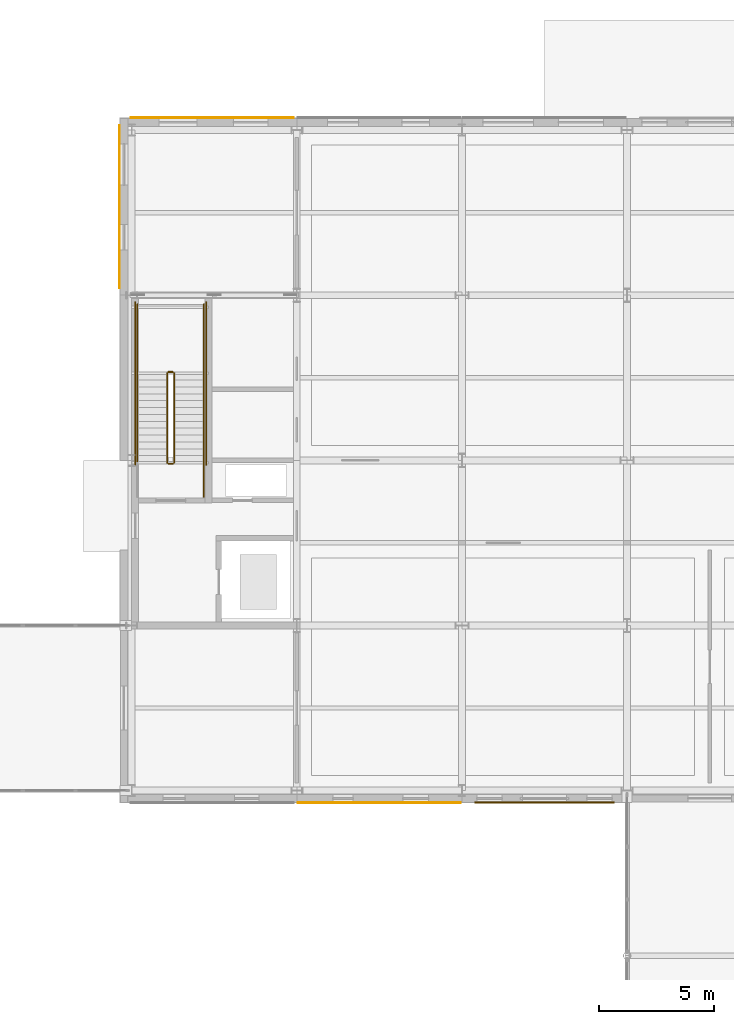
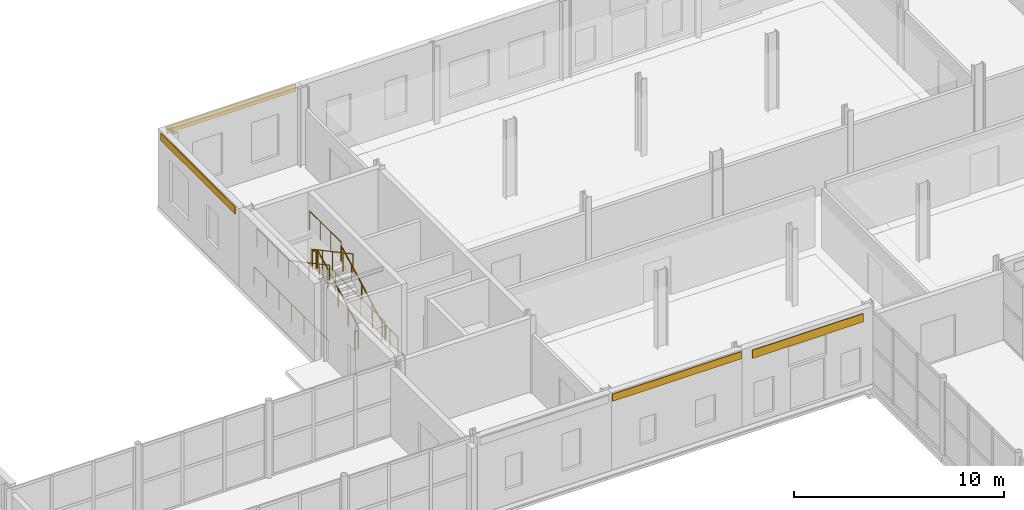
# One storey, part 82 of 92: 11 railings, 4 coverings.
"""IFC4 building model written with IfcOpenShell, lengths in metres."""

from ifc_helpers import new_model, si_unit, direction, frame, origin, origin_2d, place, context, subcontext, project, spatial, rectangle, circle, extrude, material, layer, layer_set, type_object, element, save


model = new_model("IFC4")

# Units and contexts
model_context = context("Model", 3, precision=1e-05, world=origin(), true_north=direction((0.0, 1.0)))
body_context = subcontext(model_context, "Body", "Model", "MODEL_VIEW")
ifc_project = project(units=[si_unit("LENGTHUNIT", "METRE"), si_unit("AREAUNIT", "SQUARE_METRE"), si_unit("VOLUMEUNIT", "CUBIC_METRE"), si_unit("PLANEANGLEUNIT", "RADIAN"), si_unit("MASSUNIT", "GRAM", prefix="KILO")], contexts=[model_context])

# Site, building, storey
site_placement = place(None, origin())
site = spatial("IfcSite", under=ifc_project, at=site_placement, CompositionType="ELEMENT")
building_placement = place(site_placement, origin())
building = spatial("IfcBuilding", under=site, at=building_placement, Name="Zlatovets Crest Museum", CompositionType="ELEMENT")
storey_placement = place(building_placement, origin())
storey = spatial("IfcBuildingStorey", under=building, at=storey_placement, Name="L00", CompositionType="ELEMENT", Elevation=0.0)

# Coverings
ifc_material_1 = material(Name="Polychrome turquoise-gold glazed majolica ceramic frieze")
ifc_layer = layer(ifc_material_1, 0.0400390625)
ifc_layer_set = layer_set([ifc_layer], Name="Polychrome turquoise-gold glazed majolica ceramic frieze")
covering_type = type_object("IfcCoveringType", Name="MajolicaFrieze_CL01", PredefinedType="CLADDING", material=ifc_layer_set)
covering_1_placement = place(storey_placement, frame((68.39990234375, 85.8701171875, 4.010009765625), z_axis=(0.0, 0.0, 1.0), x_axis=(1.0, 0.0, 0.0)))
element("IfcCovering", 1, at=covering_1_placement, inside=storey, type_object=covering_type, Name="Sofia Secession Majolica Plinth Frieze", PredefinedType="CLADDING", context=body_context, shape_type="SweptSolid", body=[
    extrude(rectangle(XDim=7.10009765625, YDim=0.0400390625, at=origin_2d()), origin(), (0.0, 0.0, 1.0), 0.419921875),
])
covering_2_placement = place(storey_placement, frame((75.60009765625, 85.8798828125, 3.81005859375), z_axis=(0.0, 0.0, 1.0), x_axis=(1.0, 0.0, 0.0)))
element("IfcCovering", 2, at=covering_2_placement, inside=storey, type_object=covering_type, Name="Art Nouveau Portal Secession Archivolt Crown", PredefinedType="CLADDING", context=body_context, shape_type="SweptSolid", body=[
    extrude(rectangle(XDim=6.10009765625, YDim=0.06005859375, at=origin_2d()), origin(), (0.0, 0.0, 1.0), 0.47998046875),
])
for number, where, z_axis, x_axis, name in (
    (3, (61.117431640625, 115.72998046875, 4.010009765625), (0.0, 0.0, 1.0), (1.0, 0.0, 0.0), "Sofia Secession Majolica Plinth Frieze"),
    (4, (57.070068359375, 111.857421875, 4.010009765625), (0.0, 0.0, 1.0), (0.0, 1.0, 0.0), "Sofia Secession Majolica Plinth Frieze"),
):
    element("IfcCovering", number, at=place(storey_placement, frame(where, z_axis=z_axis, x_axis=x_axis)), inside=storey, type_object=covering_type, Name=name, PredefinedType="CLADDING", context=body_context, shape_type="SweptSolid", body=[
        extrude(rectangle(XDim=7.10009765625, YDim=0.0400390625, at=origin_2d()), origin(), (0.0, 0.0, 1.0), 0.419921875),
    ])

# Railings
ifc_material_2 = material(Name="Painted steel safety guardrail", Category="steel")
railing_type_1 = type_object("IfcRailingType", Name="StairGuard_SG01", PredefinedType="GUARDRAIL", material=ifc_material_2)
railing_1_placement = place(storey_placement, frame((59.449951171875, 100.699951171875, 0.16064453125)))
element("IfcRailing", 5, at=railing_1_placement, inside=storey, type_object=railing_type_1, Name="L00 ST1 stair guard 1", PredefinedType="GUARDRAIL", context=body_context, shape_type="SweptSolid", body=[
    extrude(circle(Radius=0.02392578125, at=origin_2d()), frame((0.0, 0.0, 1.076171875), z_axis=(0.0, 0.881480790326, 0.47221988129), x_axis=(-1.0, 0.0, 0.0)), (0.0, 0.0, 1.0), 4.424560546875),
    extrude(circle(Radius=0.02099609375, at=origin_2d()), origin(), (0.0, 0.0, 1.0), 1.052001953125),
    extrude(circle(Radius=0.02099609375, at=origin_2d()), frame((0.0, 0.97509765625, 0.5224609375)), (0.0, 0.0, 1.0), 1.052001953125),
    extrude(circle(Radius=0.02099609375, at=origin_2d()), frame((0.0, 1.9501953125, 1.044677734375)), (0.0, 0.0, 1.0), 1.052001953125),
    extrude(circle(Radius=0.02099609375, at=origin_2d()), frame((0.0, 2.925048828125, 1.56689453125)), (0.0, 0.0, 1.0), 1.052001953125),
    extrude(circle(Radius=0.02099609375, at=origin_2d()), frame((0.0, 3.900146484375, 2.08935546875)), (0.0, 0.0, 1.0), 1.052001953125),
])
railing_2_placement = place(storey_placement, frame((59.39990234375, 104.64990234375, 2.25)))
element("IfcRailing", 6, at=railing_2_placement, inside=storey, type_object=railing_type_1, Name="L00 ST1 stair guard 2", PredefinedType="GUARDRAIL", context=body_context, shape_type="SweptSolid", body=[
    extrude(circle(Radius=0.02392578125, at=origin_2d()), frame((0.0, 0.0, 1.076171875), z_axis=(-1.0, 0.0, 0.0), x_axis=(0.0, -1.0, 0.0)), (0.0, 0.0, 1.0), 0.199951171875),
    extrude(circle(Radius=0.02099609375, at=origin_2d()), origin(), (0.0, 0.0, 1.0), 1.052001953125),
    extrude(circle(Radius=0.02099609375, at=origin_2d()), frame((-0.199951171875, 0.0, 0.0)), (0.0, 0.0, 1.0), 1.052001953125),
])
for number, where, name in (
    (7, (60.75, 104.60009765625, 2.25), "L00 ST1 stair guard 3"),
    (8, (57.85009765625, 104.60009765625, 2.25), "L00 ST1 stair guard 4"),
):
    element("IfcRailing", number, at=place(storey_placement, frame(where)), inside=storey, type_object=railing_type_1, Name=name, PredefinedType="GUARDRAIL", context=body_context, shape_type="SweptSolid", body=[
        extrude(circle(Radius=0.02392578125, at=origin_2d()), frame((0.0, 0.0, 1.076171875), z_axis=(0.0, 1.0, 0.0), x_axis=(-1.0, 0.0, 0.0)), (0.0, 0.0, 1.0), 3.0),
        extrude(circle(Radius=0.02099609375, at=origin_2d()), origin(), (0.0, 0.0, 1.0), 1.052001953125),
        extrude(circle(Radius=0.02099609375, at=origin_2d()), frame((0.0, 1.0, 0.0)), (0.0, 0.0, 1.0), 1.052001953125),
        extrude(circle(Radius=0.02099609375, at=origin_2d()), frame((0.0, 2.0, 0.0)), (0.0, 0.0, 1.0), 1.052001953125),
        extrude(circle(Radius=0.02099609375, at=origin_2d()), frame((0.0, 3.0, 0.0)), (0.0, 0.0, 1.0), 1.052001953125),
    ])
railing_3_placement = place(storey_placement, frame((59.14990234375, 104.60009765625, 2.41064453125)))
element("IfcRailing", 9, at=railing_3_placement, inside=storey, type_object=railing_type_1, Name="L00 ST1 stair guard 5", PredefinedType="GUARDRAIL", context=body_context, shape_type="SweptSolid", body=[
    extrude(circle(Radius=0.02392578125, at=origin_2d()), frame((0.0, 0.0, 1.076171875), z_axis=(0.0, -0.881480790326, 0.47221988129), x_axis=(1.0, 0.0, 0.0)), (0.0, 0.0, 1.0), 4.424560546875),
    extrude(circle(Radius=0.02099609375, at=origin_2d()), origin(), (0.0, 0.0, 1.0), 1.052001953125),
    extrude(circle(Radius=0.02099609375, at=origin_2d()), frame((0.0, -0.97509765625, 0.5224609375)), (0.0, 0.0, 1.0), 1.052001953125),
    extrude(circle(Radius=0.02099609375, at=origin_2d()), frame((0.0, -1.9501953125, 1.044677734375)), (0.0, 0.0, 1.0), 1.052001953125),
    extrude(circle(Radius=0.02099609375, at=origin_2d()), frame((0.0, -2.925048828125, 1.56689453125)), (0.0, 0.0, 1.0), 1.052001953125),
    extrude(circle(Radius=0.02099609375, at=origin_2d()), frame((0.0, -3.900146484375, 2.08935546875)), (0.0, 0.0, 1.0), 1.052001953125),
])
railing_4_placement = place(storey_placement, frame((59.39990234375, 100.64990234375, 0.0)))
element("IfcRailing", 10, at=railing_4_placement, inside=storey, type_object=railing_type_1, Name="L00 ST1 stair guard 6", PredefinedType="GUARDRAIL", context=body_context, shape_type="SweptSolid", body=[
    extrude(circle(Radius=0.02392578125, at=origin_2d()), frame((0.0, 0.0, 1.076171875), z_axis=(-1.0, 0.0, 0.0), x_axis=(0.0, -1.0, 0.0)), (0.0, 0.0, 1.0), 0.199951171875),
    extrude(circle(Radius=0.02099609375, at=origin_2d()), origin(), (0.0, 0.0, 1.0), 1.052001953125),
    extrude(circle(Radius=0.02099609375, at=origin_2d()), frame((-0.199951171875, 0.0, 0.0)), (0.0, 0.0, 1.0), 1.052001953125),
])
railing_5_placement = place(storey_placement, frame((60.75, 99.199951171875, 0.0)))
element("IfcRailing", 11, at=railing_5_placement, inside=storey, type_object=railing_type_1, Name="L00 ST1 stair guard 7", PredefinedType="GUARDRAIL", context=body_context, shape_type="SweptSolid", body=[
    extrude(circle(Radius=0.02392578125, at=origin_2d()), frame((0.0, 0.0, 1.076171875), z_axis=(0.0, 1.0, 0.0), x_axis=(-1.0, 0.0, 0.0)), (0.0, 0.0, 1.0), 1.5),
    extrude(circle(Radius=0.02099609375, at=origin_2d()), origin(), (0.0, 0.0, 1.0), 1.052001953125),
    extrude(circle(Radius=0.02099609375, at=origin_2d()), frame((0.0, 0.75, 0.0)), (0.0, 0.0, 1.0), 1.052001953125),
    extrude(circle(Radius=0.02099609375, at=origin_2d()), frame((0.0, 1.5, 0.0)), (0.0, 0.0, 1.0), 1.052001953125),
])
for number, where, name in (
    (12, (60.85009765625, 100.60009765625, 0.0), "L00 ST1 stair guard 9"),
    (13, (57.75, 100.60009765625, 0.0), "L00 ST1 stair guard 10"),
):
    element("IfcRailing", number, at=place(storey_placement, frame(where)), inside=storey, type_object=railing_type_1, Name=name, PredefinedType="GUARDRAIL", context=body_context, shape_type="SweptSolid", body=[
        extrude(circle(Radius=0.02392578125, at=origin_2d()), frame((0.0, 0.0, 1.076171875), z_axis=(0.0, 1.0, 0.0), x_axis=(-1.0, 0.0, 0.0)), (0.0, 0.0, 1.0), 7.099853515625),
        extrude(circle(Radius=0.02099609375, at=origin_2d()), origin(), (0.0, 0.0, 1.0), 1.052001953125),
        extrude(circle(Radius=0.02099609375, at=origin_2d()), frame((0.0, 1.183349609375, 0.0)), (0.0, 0.0, 1.0), 1.052001953125),
        extrude(circle(Radius=0.02099609375, at=origin_2d()), frame((0.0, 2.36669921875, 0.0)), (0.0, 0.0, 1.0), 1.052001953125),
        extrude(circle(Radius=0.02099609375, at=origin_2d()), frame((0.0, 3.5498046875, 0.0)), (0.0, 0.0, 1.0), 1.052001953125),
        extrude(circle(Radius=0.02099609375, at=origin_2d()), frame((0.0, 4.733154296875, 0.0)), (0.0, 0.0, 1.0), 1.052001953125),
        extrude(circle(Radius=0.02099609375, at=origin_2d()), frame((0.0, 5.91650390625, 0.0)), (0.0, 0.0, 1.0), 1.052001953125),
        extrude(circle(Radius=0.02099609375, at=origin_2d()), frame((0.0, 7.099853515625, 0.0)), (0.0, 0.0, 1.0), 1.052001953125),
    ])
ifc_material_3 = material(Name="Brushed bronze stair handrail")
railing_type_2 = type_object("IfcRailingType", Name="StairHandrail_SH01", PredefinedType="HANDRAIL", material=ifc_material_3)
railing_6_placement = place(storey_placement, frame((60.75, 100.699951171875, 0.16064453125)))
element("IfcRailing", 14, at=railing_6_placement, inside=storey, type_object=railing_type_2, Name="L00 ST1 stair handrail 1", PredefinedType="HANDRAIL", context=body_context, shape_type="SweptSolid", body=[
    extrude(circle(Radius=0.02392578125, at=origin_2d()), frame((0.0, 0.0, 0.8759765625), z_axis=(0.0, 0.881480790326, 0.47221988129), x_axis=(-1.0, 0.0, 0.0)), (0.0, 0.0, 1.0), 4.424560546875),
    extrude(circle(Radius=0.02099609375, at=origin_2d()), origin(), (0.0, 0.0, 1.0), 0.851806640625),
    extrude(circle(Radius=0.02099609375, at=origin_2d()), frame((0.0, 0.97509765625, 0.5224609375)), (0.0, 0.0, 1.0), 0.851806640625),
    extrude(circle(Radius=0.02099609375, at=origin_2d()), frame((0.0, 1.9501953125, 1.044677734375)), (0.0, 0.0, 1.0), 0.851806640625),
    extrude(circle(Radius=0.02099609375, at=origin_2d()), frame((0.0, 2.925048828125, 1.56689453125)), (0.0, 0.0, 1.0), 0.851806640625),
    extrude(circle(Radius=0.02099609375, at=origin_2d()), frame((0.0, 3.900146484375, 2.08935546875)), (0.0, 0.0, 1.0), 0.851806640625),
])
railing_7_placement = place(storey_placement, frame((57.85009765625, 104.60009765625, 2.41064453125)))
element("IfcRailing", 15, at=railing_7_placement, inside=storey, type_object=railing_type_2, Name="L00 ST1 stair handrail 2", PredefinedType="HANDRAIL", context=body_context, shape_type="SweptSolid", body=[
    extrude(circle(Radius=0.02392578125, at=origin_2d()), frame((0.0, 0.0, 0.8759765625), z_axis=(0.0, -0.881480790326, 0.47221988129), x_axis=(1.0, 0.0, 0.0)), (0.0, 0.0, 1.0), 4.424560546875),
    extrude(circle(Radius=0.02099609375, at=origin_2d()), origin(), (0.0, 0.0, 1.0), 0.851806640625),
    extrude(circle(Radius=0.02099609375, at=origin_2d()), frame((0.0, -0.97509765625, 0.5224609375)), (0.0, 0.0, 1.0), 0.851806640625),
    extrude(circle(Radius=0.02099609375, at=origin_2d()), frame((0.0, -1.9501953125, 1.044677734375)), (0.0, 0.0, 1.0), 0.851806640625),
    extrude(circle(Radius=0.02099609375, at=origin_2d()), frame((0.0, -2.925048828125, 1.56689453125)), (0.0, 0.0, 1.0), 0.851806640625),
    extrude(circle(Radius=0.02099609375, at=origin_2d()), frame((0.0, -3.900146484375, 2.08935546875)), (0.0, 0.0, 1.0), 0.851806640625),
])

save(model, "model.ifc")
